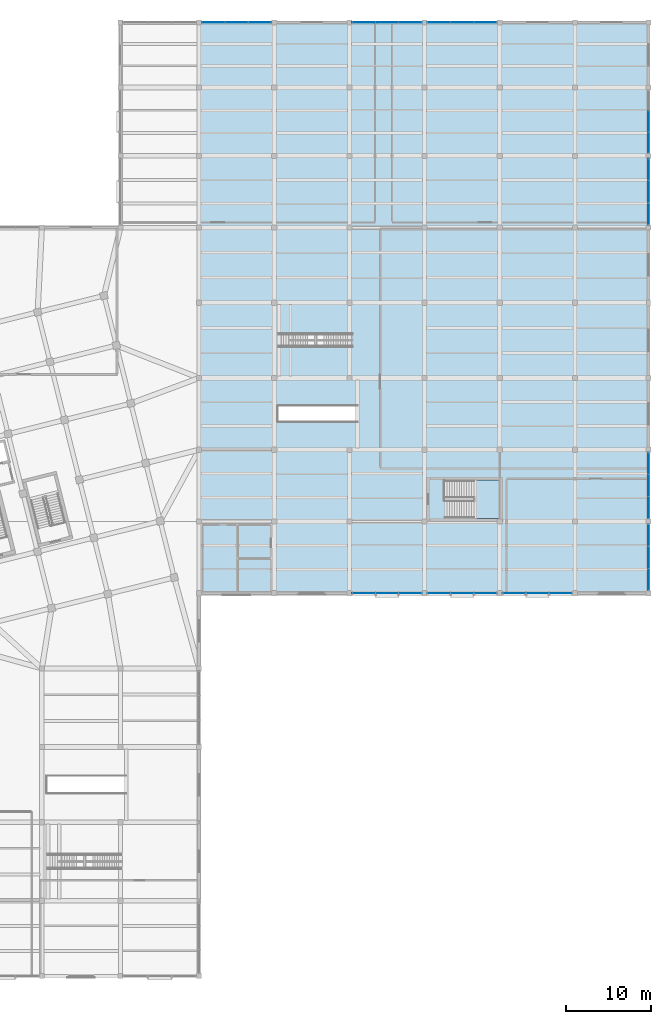
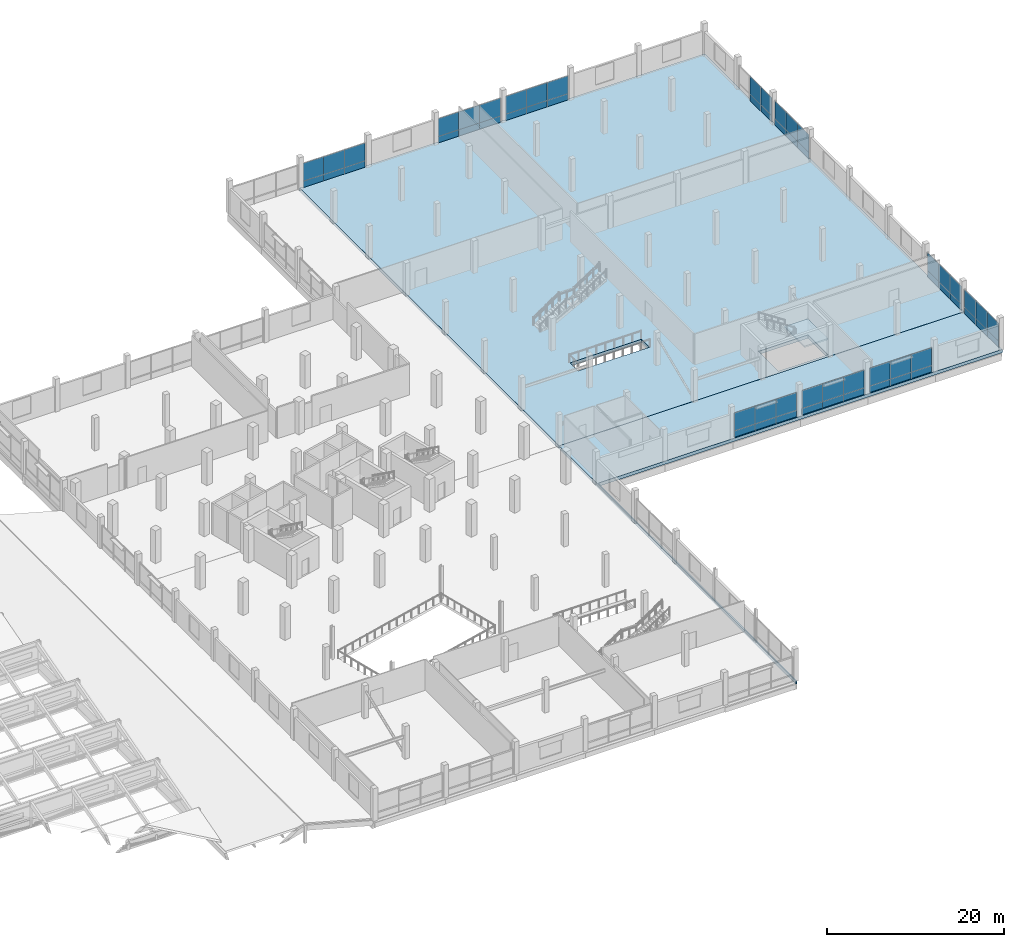
# One storey, part 63 of 77: 58 plates, 3 slabs, 11 elements without a shape of their own.
"""IFC4 building model written with IfcOpenShell, lengths in metres."""

from ifc_helpers import new_model, si_unit, direction, frame, origin, origin_2d, place, context, subcontext, project, spatial, polyline, rectangle, outline, extrude, material, layer, layer_set, type_object, element, aggregate, save


model = new_model("IFC4")

# Units and contexts
model_context = context("Model", 3, precision=1e-05, world=origin(), true_north=direction((0.0, 1.0)))
body_context = subcontext(model_context, "Body", "Model", "MODEL_VIEW")
ifc_project = project(units=[si_unit("LENGTHUNIT", "METRE"), si_unit("AREAUNIT", "SQUARE_METRE"), si_unit("VOLUMEUNIT", "CUBIC_METRE"), si_unit("PLANEANGLEUNIT", "RADIAN"), si_unit("MASSUNIT", "GRAM", prefix="KILO")], contexts=[model_context])

# Site, building, storey
site_placement = place(None, origin())
site = spatial("IfcSite", under=ifc_project, at=site_placement, CompositionType="ELEMENT")
building_placement = place(site_placement, origin())
building = spatial("IfcBuilding", under=site, at=building_placement, Name="Meriwether Solvik Hall", CompositionType="ELEMENT")
storey_placement = place(building_placement, frame((0.0, 0.0, 9.89990234375)))
storey = spatial("IfcBuildingStorey", under=building, at=storey_placement, Name="L02", CompositionType="ELEMENT", Elevation=9.89990234375)

# Curtain wall, plates
ifc_material_1 = material(Name="Thermally Broken Anodised Aluminium 6063-T6 and Low-E Glass", Category="aluminium")
ifc_layer_1 = layer(ifc_material_1, 0.179931640625)
ifc_layer_set_1 = layer_set([ifc_layer_1], Name="Thermally Broken Anodised Aluminium 6063-T6 and Low-E Glass")
curtain_wall_type = type_object("IfcCurtainWallType", Name="CW-SF-POD-C", PredefinedType="USERDEFINED", material=ifc_layer_set_1)
curtain_wall_1_placement = place(storey_placement, origin())
curtain_wall_1 = element("IfcCurtainWall", 1, at=curtain_wall_1_placement, inside=storey, type_object=curtain_wall_type, Name="Curtain Wall wing_XF_15_8 (L02)", ObjectType="STICK STOREFRONT GLAZING", PredefinedType="USERDEFINED")
ifc_material_2 = material(Name="Acoustic Laminated Insulating Glass", Category="glass")
ifc_layer_2 = layer(ifc_material_2, 0.035888671875)
ifc_layer_set_2 = layer_set([ifc_layer_2], Name="Acoustic Laminated Insulating Glass")
plate_type_1 = type_object("IfcPlateType", Name="PLT-GLZ-255X215", PredefinedType="CURTAIN_PANEL", material=ifc_layer_set_2)
plate_1_placement = place(storey_placement, frame((138.90625, 50.0, 0.880126953125), z_axis=(0.0, 0.0, 1.0), x_axis=(-1.0, 0.0, 0.0)))
plate_1 = element("IfcPlate", 2, at=plate_1_placement, type_object=plate_type_1, Name="Low-E Vision Glazing Panel 1", PredefinedType="CURTAIN_PANEL", context=body_context, shape_type="SweptSolid", body=[
    extrude(rectangle(XDim=2.67919921875, YDim=0.033935546875, at=origin_2d()), origin(), (0.0, 0.0, 1.0), 2.455078125),
])
plate_2_placement = place(storey_placement, frame((136.199951171875, 50.0, 0.880126953125), z_axis=(0.0, 0.0, 1.0), x_axis=(-1.0, 0.0, 0.0)))
plate_2 = element("IfcPlate", 3, at=plate_2_placement, type_object=plate_type_1, Name="Low-E Vision Glazing Panel 2", PredefinedType="CURTAIN_PANEL", context=body_context, shape_type="SweptSolid", body=[
    extrude(rectangle(XDim=2.71728515625, YDim=0.033935546875, at=origin_2d()), origin(), (0.0, 0.0, 1.0), 2.455078125),
])
plate_3_placement = place(storey_placement, frame((133.49365234375, 50.0, 0.880126953125), z_axis=(0.0, 0.0, 1.0), x_axis=(-1.0, 0.0, 0.0)))
plate_3 = element("IfcPlate", 4, at=plate_3_placement, type_object=plate_type_1, Name="Low-E Vision Glazing Panel 3", PredefinedType="CURTAIN_PANEL", context=body_context, shape_type="SweptSolid", body=[
    extrude(rectangle(XDim=2.67919921875, YDim=0.033935546875, at=origin_2d()), origin(), (0.0, 0.0, 1.0), 2.455078125),
])

curtain_wall_2_placement = place(storey_placement, origin())
curtain_wall_2 = element("IfcCurtainWall", 5, at=curtain_wall_2_placement, inside=storey, type_object=curtain_wall_type, Name="Curtain Wall wing_XF_16_9 (L02)", ObjectType="STICK STOREFRONT GLAZING", PredefinedType="USERDEFINED")
plate_4_placement = place(storey_placement, frame((147.706298828125, 50.0, 0.880126953125), z_axis=(0.0, 0.0, 1.0), x_axis=(-1.0, 0.0, 0.0)))
plate_4 = element("IfcPlate", 6, at=plate_4_placement, type_object=plate_type_1, Name="Low-E Vision Glazing Panel 1", PredefinedType="CURTAIN_PANEL", context=body_context, shape_type="SweptSolid", body=[
    extrude(rectangle(XDim=2.67919921875, YDim=0.033935546875, at=origin_2d()), origin(), (0.0, 0.0, 1.0), 2.455078125),
])
plate_5_placement = place(storey_placement, frame((145.0, 50.0, 0.880126953125), z_axis=(0.0, 0.0, 1.0), x_axis=(-1.0, 0.0, 0.0)))
plate_5 = element("IfcPlate", 7, at=plate_5_placement, type_object=plate_type_1, Name="Low-E Vision Glazing Panel 2", PredefinedType="CURTAIN_PANEL", context=body_context, shape_type="SweptSolid", body=[
    extrude(rectangle(XDim=2.71728515625, YDim=0.033935546875, at=origin_2d()), origin(), (0.0, 0.0, 1.0), 2.455078125),
])
plate_6_placement = place(storey_placement, frame((142.293701171875, 50.0, 0.880126953125), z_axis=(0.0, 0.0, 1.0), x_axis=(-1.0, 0.0, 0.0)))
plate_6 = element("IfcPlate", 8, at=plate_6_placement, type_object=plate_type_1, Name="Low-E Vision Glazing Panel 3", PredefinedType="CURTAIN_PANEL", context=body_context, shape_type="SweptSolid", body=[
    extrude(rectangle(XDim=2.67919921875, YDim=0.033935546875, at=origin_2d()), origin(), (0.0, 0.0, 1.0), 2.455078125),
])

curtain_wall_3_placement = place(storey_placement, origin())
curtain_wall_3 = element("IfcCurtainWall", 9, at=curtain_wall_3_placement, inside=storey, type_object=curtain_wall_type, Name="Curtain Wall wing_XF_17_10 (L02)", ObjectType="STICK STOREFRONT GLAZING", PredefinedType="USERDEFINED")
plate_7_placement = place(storey_placement, frame((156.50634765625, 50.0, 0.880126953125), z_axis=(0.0, 0.0, 1.0), x_axis=(-1.0, 0.0, 0.0)))
plate_7 = element("IfcPlate", 10, at=plate_7_placement, type_object=plate_type_1, Name="Low-E Vision Glazing Panel 1", PredefinedType="CURTAIN_PANEL", context=body_context, shape_type="SweptSolid", body=[
    extrude(rectangle(XDim=2.67919921875, YDim=0.033935546875, at=origin_2d()), origin(), (0.0, 0.0, 1.0), 2.455078125),
])
plate_8_placement = place(storey_placement, frame((153.800048828125, 50.0, 0.880126953125), z_axis=(0.0, 0.0, 1.0), x_axis=(-1.0, 0.0, 0.0)))
plate_8 = element("IfcPlate", 11, at=plate_8_placement, type_object=plate_type_1, Name="Low-E Vision Glazing Panel 2", PredefinedType="CURTAIN_PANEL", context=body_context, shape_type="SweptSolid", body=[
    extrude(rectangle(XDim=2.71728515625, YDim=0.033935546875, at=origin_2d()), origin(), (0.0, 0.0, 1.0), 2.455078125),
])
plate_9_placement = place(storey_placement, frame((151.09375, 50.0, 0.880126953125), z_axis=(0.0, 0.0, 1.0), x_axis=(-1.0, 0.0, 0.0)))
plate_9 = element("IfcPlate", 12, at=plate_9_placement, type_object=plate_type_1, Name="Low-E Vision Glazing Panel 3", PredefinedType="CURTAIN_PANEL", context=body_context, shape_type="SweptSolid", body=[
    extrude(rectangle(XDim=2.67919921875, YDim=0.033935546875, at=origin_2d()), origin(), (0.0, 0.0, 1.0), 2.455078125),
])

curtain_wall_4_placement = place(storey_placement, origin())
curtain_wall_4 = element("IfcCurtainWall", 13, at=curtain_wall_4_placement, inside=storey, type_object=curtain_wall_type, Name="Curtain Wall wing_XN_13_18 (L02)", ObjectType="STICK STOREFRONT GLAZING", PredefinedType="USERDEFINED")
plate_10_placement = place(storey_placement, frame((115.8935546875, 116.800048828125, 0.880126953125), z_axis=(0.0, 0.0, 1.0), x_axis=(1.0, 0.0, 0.0)))
plate_10 = element("IfcPlate", 14, at=plate_10_placement, type_object=plate_type_1, Name="Low-E Vision Glazing Panel 1", PredefinedType="CURTAIN_PANEL", context=body_context, shape_type="SweptSolid", body=[
    extrude(rectangle(XDim=2.67919921875, YDim=0.033935546875, at=origin_2d()), origin(), (0.0, 0.0, 1.0), 2.455078125),
])
plate_11_placement = place(storey_placement, frame((118.60009765625, 116.800048828125, 0.880126953125), z_axis=(0.0, 0.0, 1.0), x_axis=(1.0, 0.0, 0.0)))
plate_11 = element("IfcPlate", 15, at=plate_11_placement, type_object=plate_type_1, Name="Low-E Vision Glazing Panel 2", PredefinedType="CURTAIN_PANEL", context=body_context, shape_type="SweptSolid", body=[
    extrude(rectangle(XDim=2.71728515625, YDim=0.033935546875, at=origin_2d()), origin(), (0.0, 0.0, 1.0), 2.455078125),
])
plate_12_placement = place(storey_placement, frame((121.306396484375, 116.800048828125, 0.880126953125), z_axis=(0.0, 0.0, 1.0), x_axis=(1.0, 0.0, 0.0)))
plate_12 = element("IfcPlate", 16, at=plate_12_placement, type_object=plate_type_1, Name="Low-E Vision Glazing Panel 3", PredefinedType="CURTAIN_PANEL", context=body_context, shape_type="SweptSolid", body=[
    extrude(rectangle(XDim=2.67919921875, YDim=0.033935546875, at=origin_2d()), origin(), (0.0, 0.0, 1.0), 2.455078125),
])

curtain_wall_5_placement = place(storey_placement, origin())
curtain_wall_5 = element("IfcCurtainWall", 17, at=curtain_wall_5_placement, inside=storey, type_object=curtain_wall_type, Name="Curtain Wall wing_XN_15_20 (L02)", ObjectType="STICK STOREFRONT GLAZING", PredefinedType="USERDEFINED")
plate_13_placement = place(storey_placement, frame((133.49365234375, 116.800048828125, 0.880126953125), z_axis=(0.0, 0.0, 1.0), x_axis=(1.0, 0.0, 0.0)))
plate_13 = element("IfcPlate", 18, at=plate_13_placement, type_object=plate_type_1, Name="Low-E Vision Glazing Panel 1", PredefinedType="CURTAIN_PANEL", context=body_context, shape_type="SweptSolid", body=[
    extrude(rectangle(XDim=2.67919921875, YDim=0.033935546875, at=origin_2d()), origin(), (0.0, 0.0, 1.0), 2.455078125),
])
plate_14_placement = place(storey_placement, frame((136.199951171875, 116.800048828125, 0.880126953125), z_axis=(0.0, 0.0, 1.0), x_axis=(1.0, 0.0, 0.0)))
plate_14 = element("IfcPlate", 19, at=plate_14_placement, type_object=plate_type_1, Name="Low-E Vision Glazing Panel 2", PredefinedType="CURTAIN_PANEL", context=body_context, shape_type="SweptSolid", body=[
    extrude(rectangle(XDim=2.71728515625, YDim=0.033935546875, at=origin_2d()), origin(), (0.0, 0.0, 1.0), 2.455078125),
])
plate_15_placement = place(storey_placement, frame((138.90625, 116.800048828125, 0.880126953125), z_axis=(0.0, 0.0, 1.0), x_axis=(1.0, 0.0, 0.0)))
plate_15 = element("IfcPlate", 20, at=plate_15_placement, type_object=plate_type_1, Name="Low-E Vision Glazing Panel 3", PredefinedType="CURTAIN_PANEL", context=body_context, shape_type="SweptSolid", body=[
    extrude(rectangle(XDim=2.67919921875, YDim=0.033935546875, at=origin_2d()), origin(), (0.0, 0.0, 1.0), 2.455078125),
])

curtain_wall_6_placement = place(storey_placement, origin())
curtain_wall_6 = element("IfcCurtainWall", 21, at=curtain_wall_6_placement, inside=storey, type_object=curtain_wall_type, Name="Curtain Wall wing_XN_16_21 (L02)", ObjectType="STICK STOREFRONT GLAZING", PredefinedType="USERDEFINED")
plate_16_placement = place(storey_placement, frame((142.293701171875, 116.800048828125, 0.880126953125), z_axis=(0.0, 0.0, 1.0), x_axis=(1.0, 0.0, 0.0)))
plate_16 = element("IfcPlate", 22, at=plate_16_placement, type_object=plate_type_1, Name="Low-E Vision Glazing Panel 1", PredefinedType="CURTAIN_PANEL", context=body_context, shape_type="SweptSolid", body=[
    extrude(rectangle(XDim=2.67919921875, YDim=0.033935546875, at=origin_2d()), origin(), (0.0, 0.0, 1.0), 2.455078125),
])
plate_17_placement = place(storey_placement, frame((145.0, 116.800048828125, 0.880126953125), z_axis=(0.0, 0.0, 1.0), x_axis=(1.0, 0.0, 0.0)))
plate_17 = element("IfcPlate", 23, at=plate_17_placement, type_object=plate_type_1, Name="Low-E Vision Glazing Panel 2", PredefinedType="CURTAIN_PANEL", context=body_context, shape_type="SweptSolid", body=[
    extrude(rectangle(XDim=2.71728515625, YDim=0.033935546875, at=origin_2d()), origin(), (0.0, 0.0, 1.0), 2.455078125),
])
plate_18_placement = place(storey_placement, frame((147.706298828125, 116.800048828125, 0.880126953125), z_axis=(0.0, 0.0, 1.0), x_axis=(1.0, 0.0, 0.0)))
plate_18 = element("IfcPlate", 24, at=plate_18_placement, type_object=plate_type_1, Name="Low-E Vision Glazing Panel 3", PredefinedType="CURTAIN_PANEL", context=body_context, shape_type="SweptSolid", body=[
    extrude(rectangle(XDim=2.67919921875, YDim=0.033935546875, at=origin_2d()), origin(), (0.0, 0.0, 1.0), 2.455078125),
])

curtain_wall_7_placement = place(storey_placement, origin())
curtain_wall_7 = element("IfcCurtainWall", 25, at=curtain_wall_7_placement, inside=storey, type_object=curtain_wall_type, Name="Curtain Wall wing_Y19_6_42 (L02)", ObjectType="STICK STOREFRONT GLAZING", PredefinedType="USERDEFINED")
plate_19_placement = place(storey_placement, frame((166.800048828125, 56.77294921875, 0.880126953125), z_axis=(0.0, 0.0, 1.0), x_axis=(0.0, -1.0, 0.0)))
plate_19 = element("IfcPlate", 26, at=plate_19_placement, type_object=plate_type_1, Name="Low-E Vision Glazing Panel 1", PredefinedType="CURTAIN_PANEL", context=body_context, shape_type="SweptSolid", body=[
    extrude(rectangle(XDim=2.5458984375, YDim=0.033935546875, at=origin_2d()), origin(), (0.0, 0.0, 1.0), 2.455078125),
])
plate_20_placement = place(storey_placement, frame((166.800048828125, 54.199951171875, 0.880126953125), z_axis=(0.0, 0.0, 1.0), x_axis=(0.0, -1.0, 0.0)))
plate_20 = element("IfcPlate", 27, at=plate_20_placement, type_object=plate_type_1, Name="Low-E Vision Glazing Panel 2", PredefinedType="CURTAIN_PANEL", context=body_context, shape_type="SweptSolid", body=[
    extrude(rectangle(XDim=2.583984375, YDim=0.033935546875, at=origin_2d()), origin(), (0.0, 0.0, 1.0), 2.455078125),
])
plate_21_placement = place(storey_placement, frame((166.800048828125, 51.626953125, 0.880126953125), z_axis=(0.0, 0.0, 1.0), x_axis=(0.0, -1.0, 0.0)))
plate_21 = element("IfcPlate", 28, at=plate_21_placement, type_object=plate_type_1, Name="Low-E Vision Glazing Panel 3", PredefinedType="CURTAIN_PANEL", context=body_context, shape_type="SweptSolid", body=[
    extrude(rectangle(XDim=2.5458984375, YDim=0.033935546875, at=origin_2d()), origin(), (0.0, 0.0, 1.0), 2.455078125),
])

curtain_wall_8_placement = place(storey_placement, origin())
curtain_wall_8 = element("IfcCurtainWall", 29, at=curtain_wall_8_placement, inside=storey, type_object=curtain_wall_type, Name="Curtain Wall wing_Y19_7_43 (L02)", ObjectType="STICK STOREFRONT GLAZING", PredefinedType="USERDEFINED")
plate_22_placement = place(storey_placement, frame((166.800048828125, 65.173095703125, 0.880126953125), z_axis=(0.0, 0.0, 1.0), x_axis=(0.0, -1.0, 0.0)))
plate_22 = element("IfcPlate", 30, at=plate_22_placement, type_object=plate_type_1, Name="Low-E Vision Glazing Panel 1", PredefinedType="CURTAIN_PANEL", context=body_context, shape_type="SweptSolid", body=[
    extrude(rectangle(XDim=2.5458984375, YDim=0.033935546875, at=origin_2d()), origin(), (0.0, 0.0, 1.0), 2.455078125),
])
plate_23_placement = place(storey_placement, frame((166.800048828125, 62.60009765625, 0.880126953125), z_axis=(0.0, 0.0, 1.0), x_axis=(0.0, -1.0, 0.0)))
plate_23 = element("IfcPlate", 31, at=plate_23_placement, type_object=plate_type_1, Name="Low-E Vision Glazing Panel 2", PredefinedType="CURTAIN_PANEL", context=body_context, shape_type="SweptSolid", body=[
    extrude(rectangle(XDim=2.583984375, YDim=0.033935546875, at=origin_2d()), origin(), (0.0, 0.0, 1.0), 2.455078125),
])
plate_24_placement = place(storey_placement, frame((166.800048828125, 60.027099609375, 0.880126953125), z_axis=(0.0, 0.0, 1.0), x_axis=(0.0, -1.0, 0.0)))
plate_24 = element("IfcPlate", 32, at=plate_24_placement, type_object=plate_type_1, Name="Low-E Vision Glazing Panel 3", PredefinedType="CURTAIN_PANEL", context=body_context, shape_type="SweptSolid", body=[
    extrude(rectangle(XDim=2.5458984375, YDim=0.033935546875, at=origin_2d()), origin(), (0.0, 0.0, 1.0), 2.455078125),
])

curtain_wall_9_placement = place(storey_placement, origin())
curtain_wall_9 = element("IfcCurtainWall", 33, at=curtain_wall_9_placement, inside=storey, type_object=curtain_wall_type, Name="Curtain Wall wing_Y19_11_47 (L02)", ObjectType="STICK STOREFRONT GLAZING", PredefinedType="USERDEFINED")
plate_25_placement = place(storey_placement, frame((166.800048828125, 99.572998046875, 0.880126953125), z_axis=(0.0, 0.0, 1.0), x_axis=(0.0, -1.0, 0.0)))
plate_25 = element("IfcPlate", 34, at=plate_25_placement, type_object=plate_type_1, Name="Low-E Vision Glazing Panel 1", PredefinedType="CURTAIN_PANEL", context=body_context, shape_type="SweptSolid", body=[
    extrude(rectangle(XDim=2.5458984375, YDim=0.033935546875, at=origin_2d()), origin(), (0.0, 0.0, 1.0), 2.455078125),
])
plate_26_placement = place(storey_placement, frame((166.800048828125, 97.0, 0.880126953125), z_axis=(0.0, 0.0, 1.0), x_axis=(0.0, -1.0, 0.0)))
plate_26 = element("IfcPlate", 35, at=plate_26_placement, type_object=plate_type_1, Name="Low-E Vision Glazing Panel 2", PredefinedType="CURTAIN_PANEL", context=body_context, shape_type="SweptSolid", body=[
    extrude(rectangle(XDim=2.583984375, YDim=0.033935546875, at=origin_2d()), origin(), (0.0, 0.0, 1.0), 2.455078125),
])
plate_27_placement = place(storey_placement, frame((166.800048828125, 94.427001953125, 0.880126953125), z_axis=(0.0, 0.0, 1.0), x_axis=(0.0, -1.0, 0.0)))
plate_27 = element("IfcPlate", 36, at=plate_27_placement, type_object=plate_type_1, Name="Low-E Vision Glazing Panel 3", PredefinedType="CURTAIN_PANEL", context=body_context, shape_type="SweptSolid", body=[
    extrude(rectangle(XDim=2.5458984375, YDim=0.033935546875, at=origin_2d()), origin(), (0.0, 0.0, 1.0), 2.455078125),
])

curtain_wall_10_placement = place(storey_placement, origin())
curtain_wall_10 = element("IfcCurtainWall", 37, at=curtain_wall_10_placement, inside=storey, type_object=curtain_wall_type, Name="Curtain Wall wing_Y19_12_48 (L02)", ObjectType="STICK STOREFRONT GLAZING", PredefinedType="USERDEFINED")
plate_28_placement = place(storey_placement, frame((166.800048828125, 105.199951171875, 0.880126953125), z_axis=(0.0, 0.0, 1.0), x_axis=(0.0, -1.0, 0.0)))
plate_28 = element("IfcPlate", 38, at=plate_28_placement, type_object=plate_type_1, Name="Low-E Vision Glazing Panel 2", PredefinedType="CURTAIN_PANEL", context=body_context, shape_type="SweptSolid", body=[
    extrude(rectangle(XDim=2.45068359375, YDim=0.033935546875, at=origin_2d()), origin(), (0.0, 0.0, 1.0), 2.455078125),
])
plate_29_placement = place(storey_placement, frame((166.800048828125, 102.76025390625, 0.880126953125), z_axis=(0.0, 0.0, 1.0), x_axis=(0.0, -1.0, 0.0)))
plate_29 = element("IfcPlate", 39, at=plate_29_placement, type_object=plate_type_1, Name="Low-E Vision Glazing Panel 3", PredefinedType="CURTAIN_PANEL", context=body_context, shape_type="SweptSolid", body=[
    extrude(rectangle(XDim=2.41259765625, YDim=0.033935546875, at=origin_2d()), origin(), (0.0, 0.0, 1.0), 2.455078125),
])

# Plate
ifc_material_3 = material(Name="Mineral-Wool Insulated Anodised Aluminium 6063-T6", Category="aluminium")
ifc_layer_3 = layer(ifc_material_3, 0.044921875)
ifc_layer_set_3 = layer_set([ifc_layer_3], Name="Mineral-Wool Insulated Anodised Aluminium 6063-T6")
plate_type_2 = type_object("IfcPlateType", Name="PLT-SPN-255X095", PredefinedType="CURTAIN_PANEL", material=ifc_layer_set_3)
plate_30_placement = place(storey_placement, frame((138.90625, 50.0, 0.000244140625), z_axis=(0.0, 0.0, 1.0), x_axis=(-1.0, 0.0, 0.0)))
plate_30 = element("IfcPlate", 40, at=plate_30_placement, type_object=plate_type_2, Name="Insulated Spandrel Panel 1", PredefinedType="CURTAIN_PANEL", context=body_context, shape_type="SweptSolid", body=[
    extrude(rectangle(XDim=2.67919921875, YDim=0.044921875, at=origin_2d()), origin(), (0.0, 0.0, 1.0), 0.8798828125),
])

plate_31_placement = place(storey_placement, frame((136.199951171875, 50.0, 0.000244140625), z_axis=(0.0, 0.0, 1.0), x_axis=(-1.0, 0.0, 0.0)))
plate_31 = element("IfcPlate", 41, at=plate_31_placement, type_object=plate_type_2, Name="Insulated Spandrel Panel 2", PredefinedType="CURTAIN_PANEL", context=body_context, shape_type="SweptSolid", body=[
    extrude(rectangle(XDim=2.71728515625, YDim=0.044921875, at=origin_2d()), origin(), (0.0, 0.0, 1.0), 0.8798828125),
])

plate_32_placement = place(storey_placement, frame((133.49365234375, 50.0, 0.000244140625), z_axis=(0.0, 0.0, 1.0), x_axis=(-1.0, 0.0, 0.0)))
plate_32 = element("IfcPlate", 42, at=plate_32_placement, type_object=plate_type_2, Name="Insulated Spandrel Panel 3", PredefinedType="CURTAIN_PANEL", context=body_context, shape_type="SweptSolid", body=[
    extrude(rectangle(XDim=2.67919921875, YDim=0.044921875, at=origin_2d()), origin(), (0.0, 0.0, 1.0), 0.8798828125),
])

aggregate(curtain_wall_1, [plate_30, plate_1, plate_31, plate_2, plate_32, plate_3])

plate_33_placement = place(storey_placement, frame((147.706298828125, 50.0, 0.000244140625), z_axis=(0.0, 0.0, 1.0), x_axis=(-1.0, 0.0, 0.0)))
plate_33 = element("IfcPlate", 43, at=plate_33_placement, type_object=plate_type_2, Name="Insulated Spandrel Panel 1", PredefinedType="CURTAIN_PANEL", context=body_context, shape_type="SweptSolid", body=[
    extrude(rectangle(XDim=2.67919921875, YDim=0.044921875, at=origin_2d()), origin(), (0.0, 0.0, 1.0), 0.8798828125),
])

plate_34_placement = place(storey_placement, frame((145.0, 50.0, 0.000244140625), z_axis=(0.0, 0.0, 1.0), x_axis=(-1.0, 0.0, 0.0)))
plate_34 = element("IfcPlate", 44, at=plate_34_placement, type_object=plate_type_2, Name="Insulated Spandrel Panel 2", PredefinedType="CURTAIN_PANEL", context=body_context, shape_type="SweptSolid", body=[
    extrude(rectangle(XDim=2.71728515625, YDim=0.044921875, at=origin_2d()), origin(), (0.0, 0.0, 1.0), 0.8798828125),
])

plate_35_placement = place(storey_placement, frame((142.293701171875, 50.0, 0.000244140625), z_axis=(0.0, 0.0, 1.0), x_axis=(-1.0, 0.0, 0.0)))
plate_35 = element("IfcPlate", 45, at=plate_35_placement, type_object=plate_type_2, Name="Insulated Spandrel Panel 3", PredefinedType="CURTAIN_PANEL", context=body_context, shape_type="SweptSolid", body=[
    extrude(rectangle(XDim=2.67919921875, YDim=0.044921875, at=origin_2d()), origin(), (0.0, 0.0, 1.0), 0.8798828125),
])

aggregate(curtain_wall_2, [plate_33, plate_4, plate_34, plate_5, plate_35, plate_6])

plate_36_placement = place(storey_placement, frame((156.50634765625, 50.0, 0.000244140625), z_axis=(0.0, 0.0, 1.0), x_axis=(-1.0, 0.0, 0.0)))
plate_36 = element("IfcPlate", 46, at=plate_36_placement, type_object=plate_type_2, Name="Insulated Spandrel Panel 1", PredefinedType="CURTAIN_PANEL", context=body_context, shape_type="SweptSolid", body=[
    extrude(rectangle(XDim=2.67919921875, YDim=0.044921875, at=origin_2d()), origin(), (0.0, 0.0, 1.0), 0.8798828125),
])

plate_37_placement = place(storey_placement, frame((153.800048828125, 50.0, 0.000244140625), z_axis=(0.0, 0.0, 1.0), x_axis=(-1.0, 0.0, 0.0)))
plate_37 = element("IfcPlate", 47, at=plate_37_placement, type_object=plate_type_2, Name="Insulated Spandrel Panel 2", PredefinedType="CURTAIN_PANEL", context=body_context, shape_type="SweptSolid", body=[
    extrude(rectangle(XDim=2.71728515625, YDim=0.044921875, at=origin_2d()), origin(), (0.0, 0.0, 1.0), 0.8798828125),
])

plate_38_placement = place(storey_placement, frame((151.09375, 50.0, 0.000244140625), z_axis=(0.0, 0.0, 1.0), x_axis=(-1.0, 0.0, 0.0)))
plate_38 = element("IfcPlate", 48, at=plate_38_placement, type_object=plate_type_2, Name="Insulated Spandrel Panel 3", PredefinedType="CURTAIN_PANEL", context=body_context, shape_type="SweptSolid", body=[
    extrude(rectangle(XDim=2.67919921875, YDim=0.044921875, at=origin_2d()), origin(), (0.0, 0.0, 1.0), 0.8798828125),
])

aggregate(curtain_wall_3, [plate_36, plate_7, plate_37, plate_8, plate_38, plate_9])

plate_39_placement = place(storey_placement, frame((115.8935546875, 116.800048828125, 0.000244140625), z_axis=(0.0, 0.0, 1.0), x_axis=(1.0, 0.0, 0.0)))
plate_39 = element("IfcPlate", 49, at=plate_39_placement, type_object=plate_type_2, Name="Insulated Spandrel Panel 1", PredefinedType="CURTAIN_PANEL", context=body_context, shape_type="SweptSolid", body=[
    extrude(rectangle(XDim=2.67919921875, YDim=0.044921875, at=origin_2d()), origin(), (0.0, 0.0, 1.0), 0.8798828125),
])

plate_40_placement = place(storey_placement, frame((118.60009765625, 116.800048828125, 0.000244140625), z_axis=(0.0, 0.0, 1.0), x_axis=(1.0, 0.0, 0.0)))
plate_40 = element("IfcPlate", 50, at=plate_40_placement, type_object=plate_type_2, Name="Insulated Spandrel Panel 2", PredefinedType="CURTAIN_PANEL", context=body_context, shape_type="SweptSolid", body=[
    extrude(rectangle(XDim=2.71728515625, YDim=0.044921875, at=origin_2d()), origin(), (0.0, 0.0, 1.0), 0.8798828125),
])

plate_41_placement = place(storey_placement, frame((121.306396484375, 116.800048828125, 0.000244140625), z_axis=(0.0, 0.0, 1.0), x_axis=(1.0, 0.0, 0.0)))
plate_41 = element("IfcPlate", 51, at=plate_41_placement, type_object=plate_type_2, Name="Insulated Spandrel Panel 3", PredefinedType="CURTAIN_PANEL", context=body_context, shape_type="SweptSolid", body=[
    extrude(rectangle(XDim=2.67919921875, YDim=0.044921875, at=origin_2d()), origin(), (0.0, 0.0, 1.0), 0.8798828125),
])

aggregate(curtain_wall_4, [plate_39, plate_10, plate_40, plate_11, plate_41, plate_12])

plate_42_placement = place(storey_placement, frame((133.49365234375, 116.800048828125, 0.000244140625), z_axis=(0.0, 0.0, 1.0), x_axis=(1.0, 0.0, 0.0)))
plate_42 = element("IfcPlate", 52, at=plate_42_placement, type_object=plate_type_2, Name="Insulated Spandrel Panel 1", PredefinedType="CURTAIN_PANEL", context=body_context, shape_type="SweptSolid", body=[
    extrude(rectangle(XDim=2.67919921875, YDim=0.044921875, at=origin_2d()), origin(), (0.0, 0.0, 1.0), 0.8798828125),
])

plate_43_placement = place(storey_placement, frame((136.199951171875, 116.800048828125, 0.000244140625), z_axis=(0.0, 0.0, 1.0), x_axis=(1.0, 0.0, 0.0)))
plate_43 = element("IfcPlate", 53, at=plate_43_placement, type_object=plate_type_2, Name="Insulated Spandrel Panel 2", PredefinedType="CURTAIN_PANEL", context=body_context, shape_type="SweptSolid", body=[
    extrude(rectangle(XDim=2.71728515625, YDim=0.044921875, at=origin_2d()), origin(), (0.0, 0.0, 1.0), 0.8798828125),
])

plate_44_placement = place(storey_placement, frame((138.90625, 116.800048828125, 0.000244140625), z_axis=(0.0, 0.0, 1.0), x_axis=(1.0, 0.0, 0.0)))
plate_44 = element("IfcPlate", 54, at=plate_44_placement, type_object=plate_type_2, Name="Insulated Spandrel Panel 3", PredefinedType="CURTAIN_PANEL", context=body_context, shape_type="SweptSolid", body=[
    extrude(rectangle(XDim=2.67919921875, YDim=0.044921875, at=origin_2d()), origin(), (0.0, 0.0, 1.0), 0.8798828125),
])

aggregate(curtain_wall_5, [plate_42, plate_13, plate_43, plate_14, plate_44, plate_15])

plate_45_placement = place(storey_placement, frame((142.293701171875, 116.800048828125, 0.000244140625), z_axis=(0.0, 0.0, 1.0), x_axis=(1.0, 0.0, 0.0)))
plate_45 = element("IfcPlate", 55, at=plate_45_placement, type_object=plate_type_2, Name="Insulated Spandrel Panel 1", PredefinedType="CURTAIN_PANEL", context=body_context, shape_type="SweptSolid", body=[
    extrude(rectangle(XDim=2.67919921875, YDim=0.044921875, at=origin_2d()), origin(), (0.0, 0.0, 1.0), 0.8798828125),
])

plate_46_placement = place(storey_placement, frame((145.0, 116.800048828125, 0.000244140625), z_axis=(0.0, 0.0, 1.0), x_axis=(1.0, 0.0, 0.0)))
plate_46 = element("IfcPlate", 56, at=plate_46_placement, type_object=plate_type_2, Name="Insulated Spandrel Panel 2", PredefinedType="CURTAIN_PANEL", context=body_context, shape_type="SweptSolid", body=[
    extrude(rectangle(XDim=2.71728515625, YDim=0.044921875, at=origin_2d()), origin(), (0.0, 0.0, 1.0), 0.8798828125),
])

plate_47_placement = place(storey_placement, frame((147.706298828125, 116.800048828125, 0.000244140625), z_axis=(0.0, 0.0, 1.0), x_axis=(1.0, 0.0, 0.0)))
plate_47 = element("IfcPlate", 57, at=plate_47_placement, type_object=plate_type_2, Name="Insulated Spandrel Panel 3", PredefinedType="CURTAIN_PANEL", context=body_context, shape_type="SweptSolid", body=[
    extrude(rectangle(XDim=2.67919921875, YDim=0.044921875, at=origin_2d()), origin(), (0.0, 0.0, 1.0), 0.8798828125),
])

aggregate(curtain_wall_6, [plate_45, plate_16, plate_46, plate_17, plate_47, plate_18])

plate_48_placement = place(storey_placement, frame((166.800048828125, 56.77294921875, 0.000244140625), z_axis=(0.0, 0.0, 1.0), x_axis=(0.0, -1.0, 0.0)))
plate_48 = element("IfcPlate", 58, at=plate_48_placement, type_object=plate_type_2, Name="Insulated Spandrel Panel 1", PredefinedType="CURTAIN_PANEL", context=body_context, shape_type="SweptSolid", body=[
    extrude(rectangle(XDim=2.5458984375, YDim=0.044921875, at=origin_2d()), origin(), (0.0, 0.0, 1.0), 0.8798828125),
])

plate_49_placement = place(storey_placement, frame((166.800048828125, 54.199951171875, 0.000244140625), z_axis=(0.0, 0.0, 1.0), x_axis=(0.0, -1.0, 0.0)))
plate_49 = element("IfcPlate", 59, at=plate_49_placement, type_object=plate_type_2, Name="Insulated Spandrel Panel 2", PredefinedType="CURTAIN_PANEL", context=body_context, shape_type="SweptSolid", body=[
    extrude(rectangle(XDim=2.583984375, YDim=0.044921875, at=origin_2d()), origin(), (0.0, 0.0, 1.0), 0.8798828125),
])

plate_50_placement = place(storey_placement, frame((166.800048828125, 51.626953125, 0.000244140625), z_axis=(0.0, 0.0, 1.0), x_axis=(0.0, -1.0, 0.0)))
plate_50 = element("IfcPlate", 60, at=plate_50_placement, type_object=plate_type_2, Name="Insulated Spandrel Panel 3", PredefinedType="CURTAIN_PANEL", context=body_context, shape_type="SweptSolid", body=[
    extrude(rectangle(XDim=2.5458984375, YDim=0.044921875, at=origin_2d()), origin(), (0.0, 0.0, 1.0), 0.8798828125),
])

aggregate(curtain_wall_7, [plate_48, plate_19, plate_49, plate_20, plate_50, plate_21])

plate_51_placement = place(storey_placement, frame((166.800048828125, 65.173095703125, 0.000244140625), z_axis=(0.0, 0.0, 1.0), x_axis=(0.0, -1.0, 0.0)))
plate_51 = element("IfcPlate", 61, at=plate_51_placement, type_object=plate_type_2, Name="Insulated Spandrel Panel 1", PredefinedType="CURTAIN_PANEL", context=body_context, shape_type="SweptSolid", body=[
    extrude(rectangle(XDim=2.5458984375, YDim=0.044921875, at=origin_2d()), origin(), (0.0, 0.0, 1.0), 0.8798828125),
])

plate_52_placement = place(storey_placement, frame((166.800048828125, 62.60009765625, 0.000244140625), z_axis=(0.0, 0.0, 1.0), x_axis=(0.0, -1.0, 0.0)))
plate_52 = element("IfcPlate", 62, at=plate_52_placement, type_object=plate_type_2, Name="Insulated Spandrel Panel 2", PredefinedType="CURTAIN_PANEL", context=body_context, shape_type="SweptSolid", body=[
    extrude(rectangle(XDim=2.583984375, YDim=0.044921875, at=origin_2d()), origin(), (0.0, 0.0, 1.0), 0.8798828125),
])

plate_53_placement = place(storey_placement, frame((166.800048828125, 60.027099609375, 0.000244140625), z_axis=(0.0, 0.0, 1.0), x_axis=(0.0, -1.0, 0.0)))
plate_53 = element("IfcPlate", 63, at=plate_53_placement, type_object=plate_type_2, Name="Insulated Spandrel Panel 3", PredefinedType="CURTAIN_PANEL", context=body_context, shape_type="SweptSolid", body=[
    extrude(rectangle(XDim=2.5458984375, YDim=0.044921875, at=origin_2d()), origin(), (0.0, 0.0, 1.0), 0.8798828125),
])

aggregate(curtain_wall_8, [plate_51, plate_22, plate_52, plate_23, plate_53, plate_24])

plate_54_placement = place(storey_placement, frame((166.800048828125, 99.572998046875, 0.000244140625), z_axis=(0.0, 0.0, 1.0), x_axis=(0.0, -1.0, 0.0)))
plate_54 = element("IfcPlate", 64, at=plate_54_placement, type_object=plate_type_2, Name="Insulated Spandrel Panel 1", PredefinedType="CURTAIN_PANEL", context=body_context, shape_type="SweptSolid", body=[
    extrude(rectangle(XDim=2.5458984375, YDim=0.044921875, at=origin_2d()), origin(), (0.0, 0.0, 1.0), 0.8798828125),
])

plate_55_placement = place(storey_placement, frame((166.800048828125, 97.0, 0.000244140625), z_axis=(0.0, 0.0, 1.0), x_axis=(0.0, -1.0, 0.0)))
plate_55 = element("IfcPlate", 65, at=plate_55_placement, type_object=plate_type_2, Name="Insulated Spandrel Panel 2", PredefinedType="CURTAIN_PANEL", context=body_context, shape_type="SweptSolid", body=[
    extrude(rectangle(XDim=2.583984375, YDim=0.044921875, at=origin_2d()), origin(), (0.0, 0.0, 1.0), 0.8798828125),
])

plate_56_placement = place(storey_placement, frame((166.800048828125, 94.427001953125, 0.000244140625), z_axis=(0.0, 0.0, 1.0), x_axis=(0.0, -1.0, 0.0)))
plate_56 = element("IfcPlate", 66, at=plate_56_placement, type_object=plate_type_2, Name="Insulated Spandrel Panel 3", PredefinedType="CURTAIN_PANEL", context=body_context, shape_type="SweptSolid", body=[
    extrude(rectangle(XDim=2.5458984375, YDim=0.044921875, at=origin_2d()), origin(), (0.0, 0.0, 1.0), 0.8798828125),
])

aggregate(curtain_wall_9, [plate_54, plate_25, plate_55, plate_26, plate_56, plate_27])

plate_57_placement = place(storey_placement, frame((166.800048828125, 105.199951171875, 0.000244140625), z_axis=(0.0, 0.0, 1.0), x_axis=(0.0, -1.0, 0.0)))
plate_57 = element("IfcPlate", 67, at=plate_57_placement, type_object=plate_type_2, Name="Insulated Spandrel Panel 2", PredefinedType="CURTAIN_PANEL", context=body_context, shape_type="SweptSolid", body=[
    extrude(rectangle(XDim=2.45068359375, YDim=0.044921875, at=origin_2d()), origin(), (0.0, 0.0, 1.0), 0.8798828125),
])

plate_58_placement = place(storey_placement, frame((166.800048828125, 102.76025390625, 0.000244140625), z_axis=(0.0, 0.0, 1.0), x_axis=(0.0, -1.0, 0.0)))
plate_58 = element("IfcPlate", 68, at=plate_58_placement, type_object=plate_type_2, Name="Insulated Spandrel Panel 3", PredefinedType="CURTAIN_PANEL", context=body_context, shape_type="SweptSolid", body=[
    extrude(rectangle(XDim=2.41259765625, YDim=0.044921875, at=origin_2d()), origin(), (0.0, 0.0, 1.0), 0.8798828125),
])

aggregate(curtain_wall_10, [plate_57, plate_28, plate_58, plate_29])

# Stair, slab
ifc_material_4 = material(Name="Concrete C40/50", Category="concrete")
stair_type = type_object("IfcStairType", Name="STR-CORE-WIDE", PredefinedType="TWO_STRAIGHT_RUN_STAIR", material=ifc_material_4)
stair_placement = place(storey_placement, origin())
stair = element("IfcStair", 69, at=stair_placement, inside=storey, type_object=stair_type, Name="Exit Stair ST-05 (L02)", PredefinedType="TWO_STRAIGHT_RUN_STAIR")
ifc_material_5 = material(Name="Concrete C40/50", Category="concrete")
ifc_layer_4 = layer(ifc_material_5, 0.199951171875)
ifc_layer_set_4 = layer_set([ifc_layer_4], Name="Concrete C40/50")
slab_type_1 = type_object("IfcSlabType", Name="SLB-LND-200", PredefinedType="LANDING", material=ifc_layer_set_4)
slab_1_placement = place(storey_placement, frame((0.0, 0.0, 2.050048828125)))
slab_1 = element("IfcSlab", 70, at=slab_1_placement, type_object=slab_type_1, Name="Stair ST-05 Half Landing (L02)", PredefinedType="LANDING", context=body_context, shape_type="SweptSolid", body=[
    extrude(outline(polyline([(146.35205078125, 58.7451171875), (149.405029296875, 58.7451171875), (149.405029296875, 63.2548828125), (146.35205078125, 63.2548828125), (146.35205078125, 58.7451171875)])), origin(), (0.0, 0.0, 1.0), 0.199951171875),
])
aggregate(stair, [slab_1])

# Slabs
ifc_material_6 = material(Name="Concrete C40/50", Category="concrete")
ifc_layer_5 = layer(ifc_material_6, 0.449951171875)
ifc_layer_set_5 = layer_set([ifc_layer_5], Name="Concrete C40/50")
slab_type_2 = type_object("IfcSlabType", Name="SLB-RC-450", PredefinedType="FLOOR", material=ifc_layer_set_5)
slab_2_placement = place(storey_placement, frame((0.0, 0.0, -0.449951171875)))
element("IfcSlab", 71, at=slab_2_placement, inside=storey, type_object=slab_type_2, Name="L02 Structural Slab Zone 5", PredefinedType="FLOOR", context=body_context, shape_type="SweptSolid", body=[
    extrude(outline(polyline([(166.9599609375, 58.39697265625), (166.9599609375, 49.840087890625), (114.360107421875, 49.840087890625), (114.360107421875, 5.0400390625), (114.202880859375, 5.0400390625), (114.202880859375, 58.39697265625), (166.9599609375, 58.39697265625)])), origin(), (0.0, 0.0, 1.0), 0.449951171875),
])
slab_3_placement = place(storey_placement, frame((0.0, 0.0, -0.449951171875)))
element("IfcSlab", 72, at=slab_3_placement, inside=storey, type_object=slab_type_2, Name="L02 Structural Slab Zone 6", PredefinedType="FLOOR", context=body_context, shape_type="SweptSolid", body=[
    extrude(outline(polyline([(114.202880859375, 116.9599609375), (166.9599609375, 116.9599609375), (166.9599609375, 58.403076171875), (114.202880859375, 58.403076171875), (114.202880859375, 116.9599609375)]), holes=[polyline([(149.39990234375, 63.25), (142.968017578125, 63.25), (142.968017578125, 58.75), (149.39990234375, 58.75), (149.39990234375, 63.25)]), polyline([(132.7119140625, 70.094970703125), (132.7119140625, 71.905029296875), (123.449951171875, 71.905029296875), (123.449951171875, 70.094970703125), (132.7119140625, 70.094970703125)])]), origin(), (0.0, 0.0, 1.0), 0.449951171875),
])

save(model, "model.ifc")
